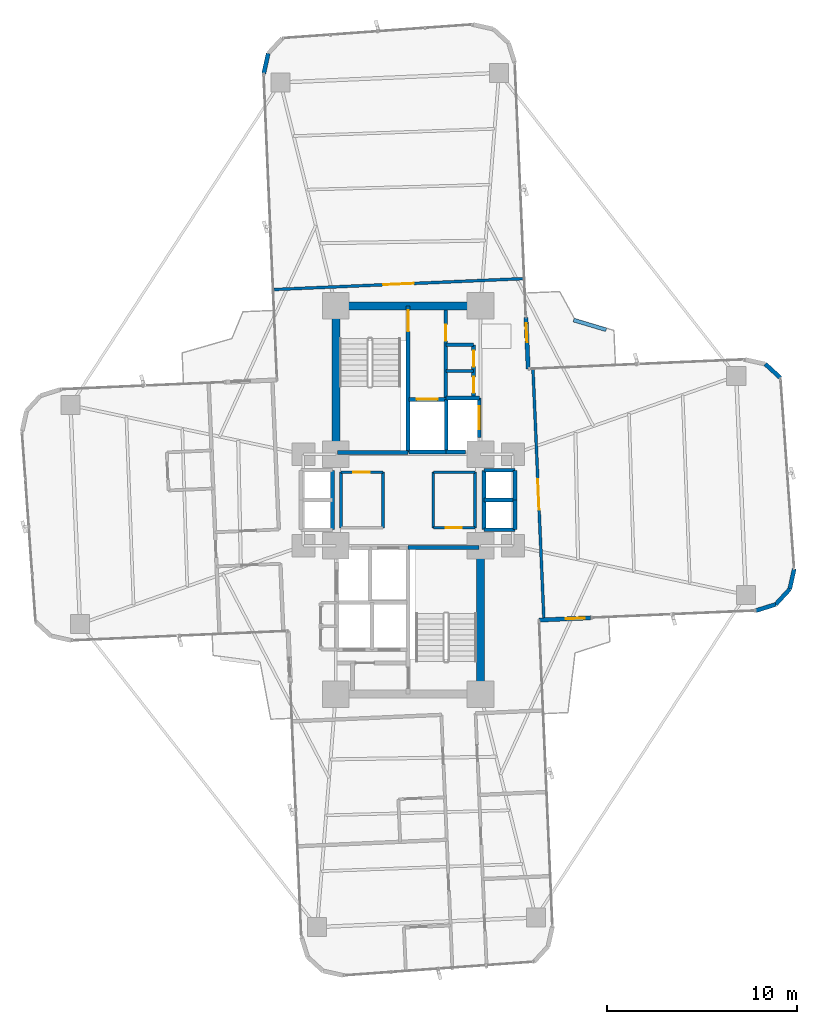
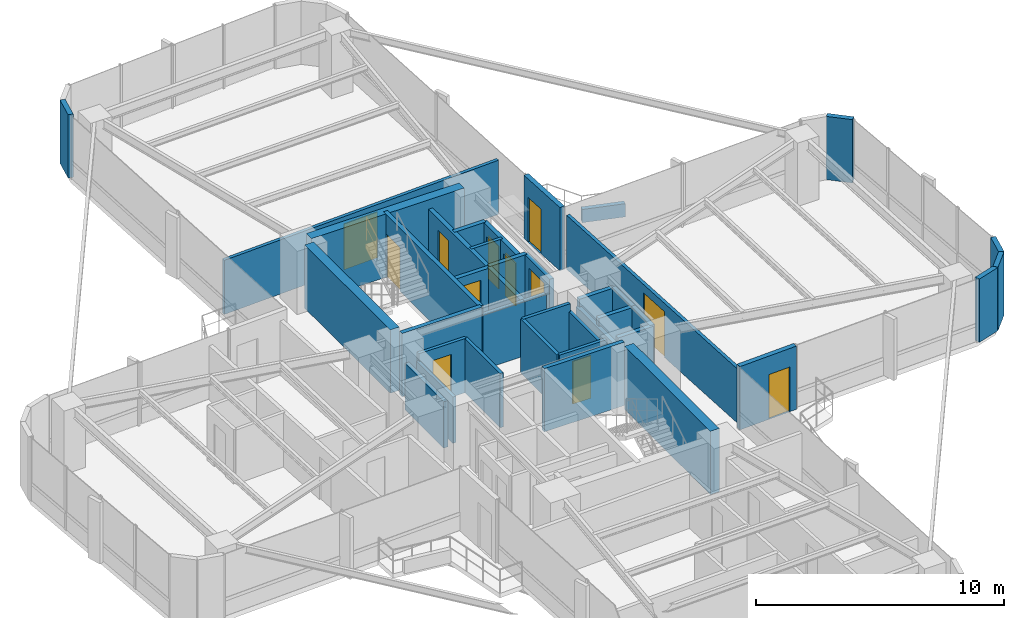
# One storey, part 24 of 26: 40 walls, 12 doors, 12 openings.
"""IFC4 building model written with IfcOpenShell, lengths in metres."""

import ifcopenshell
import ifcopenshell.guid

model = None  # the IFC model being written
_history = None  # IfcOwnerHistory: only IFC2X3 demands one
_inside = {}  # id of a spatial element -> (the spatial element, [elements in it])
_under = {}  # id of a project, library or spatial element -> (it, [spatial elements below it])
_declared = {}  # id of a project -> (the project, [libraries it declares])
_typed = {}  # id of a type object -> (the type object, [elements of that type])
_made_of = {}  # id of a material, layer set ... -> (it, [elements and type objects made of it])


def new_model(schema):
    """Start an empty IFC model of exactly this schema.

    Asked for "IFC4X3", IfcOpenShell would pick the latest addendum, in which some entities
    have other attributes; the version numbers below select the first issue.
    IFC2X3 requires an IfcOwnerHistory on every rooted entity: one is made here for all.
    """
    global model, _history
    if schema == "IFC4X3":
        model = ifcopenshell.file(schema_version=(4, 3, 0, 0))
    else:
        model = ifcopenshell.file(schema=schema)
    _inside.clear()
    _under.clear()
    _declared.clear()
    _typed.clear()
    _made_of.clear()
    _history = None
    if model.schema == "IFC2X3":
        org = make("IfcOrganization", Name="unknown")
        user = make(
            "IfcPersonAndOrganization",
            ThePerson=make("IfcPerson", FamilyName="unknown"),
            TheOrganization=org,
        )
        app = make(
            "IfcApplication",
            ApplicationDeveloper=org,
            Version="unknown",
            ApplicationFullName="unknown",
            ApplicationIdentifier="unknown",
        )
        _history = make(
            "IfcOwnerHistory",
            OwningUser=user,
            OwningApplication=app,
            ChangeAction="ADDED",
            CreationDate=0,
        )
    return model


def make(cls, **values):
    """One entity of the class cls with the attributes given. An attribute that is None is left unset."""
    return model.create_entity(
        cls, **{name: value for name, value in values.items() if value is not None}
    )


def rooted(cls, **values):
    """An entity with a GlobalId (a new one), such as an element, a storey or a relation."""
    return make(cls, GlobalId=ifcopenshell.guid.new(), OwnerHistory=_history, **values)


def si_unit(unit_type, name, prefix=None):
    """IfcSIUnit, for example si_unit("LENGTHUNIT", "METRE", prefix="MILLI")."""
    return make("IfcSIUnit", UnitType=unit_type, Prefix=prefix, Name=name)


def assignment(units):
    """IfcUnitAssignment: the units of a project."""
    return None if units is None else make("IfcUnitAssignment", Units=units)


def point(xyz):
    """IfcCartesianPoint."""
    return None if xyz is None else make("IfcCartesianPoint", Coordinates=xyz)


def direction(xyz):
    """IfcDirection."""
    return None if xyz is None else make("IfcDirection", DirectionRatios=xyz)


def frame(location, z_axis=None, x_axis=None):
    """IfcAxis2Placement3D, a coordinate frame: its origin and axes. An axis left out is left unset."""
    return make(
        "IfcAxis2Placement3D",
        Location=point(location),
        Axis=direction(z_axis),
        RefDirection=direction(x_axis),
    )


def frame_2d(location, x_axis=None):
    """IfcAxis2Placement2D, a coordinate frame in the plane: its origin and x axis."""
    return make(
        "IfcAxis2Placement2D", Location=point(location), RefDirection=direction(x_axis)
    )


def origin():
    """The frame at (0, 0, 0) with its axes left unset."""
    return frame((0.0, 0.0, 0.0))


def origin_2d():
    """The frame at (0, 0) in the plane with its x axis left unset."""
    return frame_2d((0.0, 0.0))


def place(relative_to, where):
    """IfcLocalPlacement: puts the frame where relative to a parent placement (None: the world)."""
    return make(
        "IfcLocalPlacement", PlacementRelTo=relative_to, RelativePlacement=where
    )


def context(
    kind, dimensions, precision=None, world=None, true_north=None, identifier=None
):
    """IfcGeometricRepresentationContext, for example the 3D "Model" context."""
    return make(
        "IfcGeometricRepresentationContext",
        ContextIdentifier=identifier,
        ContextType=kind,
        CoordinateSpaceDimension=dimensions,
        Precision=precision,
        WorldCoordinateSystem=world,
        TrueNorth=true_north,
    )


def subcontext(parent, identifier, kind, view, scale=None):
    """IfcGeometricRepresentationSubContext, for example "Body" below "Model"."""
    return make(
        "IfcGeometricRepresentationSubContext",
        ContextIdentifier=identifier,
        ContextType=kind,
        ParentContext=parent,
        TargetScale=scale,
        TargetView=view,
    )


def project(units=None, contexts=None):
    """IfcProject with its units and contexts."""
    return rooted(
        "IfcProject",
        Name="project",
        RepresentationContexts=contexts,
        UnitsInContext=assignment(units),
    )


def spatial(cls, under=None, at=None, **own):
    """A site, building, storey or space (cls), placed at a placement, below another one or the project."""
    s = rooted(cls, ObjectPlacement=at, **own)
    if under is not None:
        _under.setdefault(under.id(), (under, []))[1].append(s)
    return s


def profile(cls, at=None, kind="AREA", **sizes):
    """A parametric profile (cls). Its sizes go by their IFC names, for example OverallWidth=200.0."""
    return make(cls, ProfileType=kind, Position=at, **sizes)


def rectangle(**sizes):
    """IfcRectangleProfileDef."""
    return profile("IfcRectangleProfileDef", **sizes)


def extrude(swept, where, along, depth):
    """IfcExtrudedAreaSolid: the profile swept, set in the frame where, extruded along a direction by depth."""
    return make(
        "IfcExtrudedAreaSolid",
        SweptArea=swept,
        Position=where,
        ExtrudedDirection=direction(along),
        Depth=depth,
    )


def shape(context_of_items, identifier, shape_type, items):
    """IfcShapeRepresentation: the items that make up one representation, for example the "Body"."""
    return make(
        "IfcShapeRepresentation",
        ContextOfItems=context_of_items,
        RepresentationIdentifier=identifier,
        RepresentationType=shape_type,
        Items=items,
    )


def source(mapping_origin, context_of_items, identifier, shape_type, items):
    """IfcRepresentationMap: a shape defined once, which mapped items show again and again."""
    return make(
        "IfcRepresentationMap",
        MappingOrigin=mapping_origin,
        MappedRepresentation=shape(context_of_items, identifier, shape_type, items),
    )


def transform(
    local_origin,
    x_axis=None,
    y_axis=None,
    z_axis=None,
    scale=None,
    scale2=None,
    scale3=None,
    uniform=True,
):
    """IfcCartesianTransformationOperator3D, or its non-uniform kind. x_axis, y_axis, z_axis: its Axis1, 2, 3."""
    if uniform:
        return make(
            "IfcCartesianTransformationOperator3D",
            Axis1=direction(x_axis),
            Axis2=direction(y_axis),
            LocalOrigin=point(local_origin),
            Scale=scale,
            Axis3=direction(z_axis),
        )
    return make(
        "IfcCartesianTransformationOperator3DnonUniform",
        Axis1=direction(x_axis),
        Axis2=direction(y_axis),
        LocalOrigin=point(local_origin),
        Scale=scale,
        Axis3=direction(z_axis),
        Scale2=scale2,
        Scale3=scale3,
    )


def mapped(mapping_source, mapping_target):
    """IfcMappedItem: shows the shape of a source again, moved by a transform."""
    return make(
        "IfcMappedItem", MappingSource=mapping_source, MappingTarget=mapping_target
    )


def material(Name=None, Category=None):
    """IfcMaterial."""
    return make("IfcMaterial", Name=Name, Category=Category)


def layer(
    of_material, thickness, ventilated=None, Name=None, Category=None, Priority=None
):
    """IfcMaterialLayer: one layer of a wall or slab, of a material (None: an air gap)."""
    return make(
        "IfcMaterialLayer",
        Material=of_material,
        LayerThickness=thickness,
        IsVentilated=ventilated,
        Name=Name,
        Category=Category,
        Priority=Priority,
    )


def layer_set(layers, Name=None):
    """IfcMaterialLayerSet."""
    return make("IfcMaterialLayerSet", MaterialLayers=layers, LayerSetName=Name)


def made_of(thing, what):
    """Note that an element or type object is made of a material, layer set ...; save() writes the relation."""
    if what is not None:
        _made_of.setdefault(what.id(), (what, []))[1].append(thing)
    return thing


def type_object(cls, material=None, **own):
    """A type object (cls), such as IfcWallType, which elements share."""
    return made_of(rooted(cls, **own), material)


def element(
    cls,
    number,
    at=None,
    inside=None,
    cuts=None,
    type_object=None,
    material=None,
    context=None,
    identifier="Body",
    shape_type=None,
    held_by="IfcProductDefinitionShape",
    body=None,
    shapes=None,
    **own,
):
    """One element of the class cls, such as IfcWall. Its Tag is "e" and its number.

    at: its placement. inside: the storey or other place that contains it. cuts: it is an
    opening in that element (IfcRelVoidsElement). A single representation is given by context,
    identifier, shape_type and body (its items); several are given by shapes. held_by: the class
    of the entity that holds the representations. save() writes the other relations.
    """
    e = rooted(cls, Tag="e%d" % number, ObjectPlacement=at, **own)
    if body is not None:
        shapes = [shape(context, identifier, shape_type, body)]
    if shapes is not None:
        e.Representation = make(held_by, Representations=shapes)
    if inside is not None:
        _inside.setdefault(inside.id(), (inside, []))[1].append(e)
    if cuts is not None:
        rooted(
            "IfcRelVoidsElement", RelatingBuildingElement=cuts, RelatedOpeningElement=e
        )
    if type_object is not None:
        _typed.setdefault(type_object.id(), (type_object, []))[1].append(e)
    return made_of(e, material)


def fill(opening, filler):
    """IfcRelFillsElement: the door or window that sits in an opening."""
    return rooted(
        "IfcRelFillsElement",
        RelatingOpeningElement=opening,
        RelatedBuildingElement=filler,
    )


def aggregate(whole, parts):
    """IfcRelAggregates: a whole, such as a stair, and the parts it consists of."""
    return rooted("IfcRelAggregates", RelatingObject=whole, RelatedObjects=parts)


def save(model, path):
    """Write the relations noted so far, then the file.

    IfcRelAggregates (storeys below a building ...), IfcRelContainedInSpatialStructure (elements
    in a storey), IfcRelDefinesByType, IfcRelAssociatesMaterial and IfcRelDeclares: one each for
    every whole, place, type object, material and project.
    """
    for whole, parts in _under.values():
        aggregate(whole, parts)
    for where, things in _inside.values():
        rooted(
            "IfcRelContainedInSpatialStructure",
            RelatedElements=things,
            RelatingStructure=where,
        )
    for kind, things in _typed.values():
        rooted("IfcRelDefinesByType", RelatedObjects=things, RelatingType=kind)
    for what, things in _made_of.values():
        rooted("IfcRelAssociatesMaterial", RelatedObjects=things, RelatingMaterial=what)
    for by, libraries in _declared.values():
        rooted("IfcRelDeclares", RelatingContext=by, RelatedDefinitions=libraries)
    model.write(path)


model = new_model("IFC4")

# Units and contexts
model_context = context("Model", 3, precision=1e-05, world=origin(), true_north=direction((0.0, 1.0)))
body_context = subcontext(model_context, "Body", "Model", "MODEL_VIEW")
ifc_project = project(units=[si_unit("LENGTHUNIT", "METRE"), si_unit("AREAUNIT", "SQUARE_METRE"), si_unit("VOLUMEUNIT", "CUBIC_METRE"), si_unit("PLANEANGLEUNIT", "RADIAN"), si_unit("MASSUNIT", "GRAM", prefix="KILO")], contexts=[model_context])

# Site, building, storey
site_placement = place(None, origin())
site = spatial("IfcSite", under=ifc_project, at=site_placement, CompositionType="ELEMENT")
building_placement = place(site_placement, origin())
building = spatial("IfcBuilding", under=site, at=building_placement, Name="Sahyath Konkavel Grand Hotel", CompositionType="ELEMENT")
storey_placement = place(building_placement, frame((0.0, 0.0, 121.5)))
storey = spatial("IfcBuildingStorey", under=building, at=storey_placement, Name="L33", CompositionType="ELEMENT", Elevation=121.5)

# Walls
ifc_material_1 = material(Name="Concrete C50/60", Category="concrete")
ifc_layer_1 = layer(ifc_material_1, 0.419921875)
ifc_layer_set_1 = layer_set([ifc_layer_1], Name="Concrete C50/60")
wall_type_1 = type_object("IfcWallType", Name="CWALL-420", PredefinedType="SHEAR", material=ifc_layer_set_1)
wall_1_placement = place(storey_placement, frame((-3.550048828125, 10.199951171875, 0.0), z_axis=(0.0, 0.0, 1.0), x_axis=(1.0, 0.0, 0.0)))
element("IfcWall", 1, at=wall_1_placement, inside=storey, type_object=wall_type_1, Name="L33 North Core Shear Wall N", PredefinedType="SHEAR", context=body_context, shape_type="SweptSolid", body=[
    extrude(rectangle(XDim=7.10009765625, YDim=0.419921875, at=frame_2d((3.550048828125, 0.0))), origin(), (0.0, 0.0, 1.0), 3.110107421875),
])
for number, where, z_axis, x_axis, name in (
    (2, (-3.800048828125, 2.85009765625, 0.0), (0.0, 0.0, 1.0), (0.0, 1.0, 0.0), "L33 North Core Shear Wall W"),
    (3, (3.800048828125, -9.75, 0.0), (0.0, 0.0, 1.0), (0.0, 1.0, 0.0), "L33 South Core Shear Wall E"),
):
    element("IfcWall", number, at=place(storey_placement, frame(where, z_axis=z_axis, x_axis=x_axis)), inside=storey, type_object=wall_type_1, Name=name, PredefinedType="SHEAR", context=body_context, shape_type="SweptSolid", body=[
        extrude(rectangle(XDim=6.89990234375, YDim=0.419921875, at=frame_2d((3.449951171875, 0.0))), origin(), (0.0, 0.0, 1.0), 3.110107421875),
    ])

# Wall, opening, door
ifc_material_2 = material(Name="Warm Buff Sandstone Insulated Concrete C40/50", Category="masonry")
ifc_layer_2 = layer(ifc_material_2, 0.219970703125)
ifc_layer_set_2 = layer_set([ifc_layer_2], Name="Warm Buff Sandstone Insulated Concrete C40/50")
wall_type_2 = type_object("IfcWallType", Name="WLL-BALC-THRESH", PredefinedType="STANDARD", material=ifc_layer_set_2)
wall_2_placement = place(storey_placement, frame((6.881591796875, -6.305908203125, 0.0), z_axis=(0.0, 0.0, 1.0), x_axis=(0.999045894436, 0.043672655174, 0.0)))
wall_2 = element("IfcWall", 4, at=wall_2_placement, inside=storey, type_object=wall_type_2, Name="L33 Winter-Garden Threshold Wall 0", PredefinedType="STANDARD", context=body_context, shape_type="SweptSolid", body=[
    extrude(rectangle(XDim=2.7001953125, YDim=0.219970703125, at=frame_2d((1.35009765625, 0.0))), origin(), (0.0, 0.0, 1.0), 3.110107421875),
])
opening_1_placement = place(wall_2_placement, frame((1.39990234375, 0.0, 0.0)))
opening_1 = element("IfcOpeningElement", 5, at=opening_1_placement, cuts=wall_2, Name="Opening D-TR1", PredefinedType="OPENING", context=body_context, shape_type="SweptSolid", body=[
    extrude(rectangle(XDim=1.0, YDim=2.199951171875, at=frame_2d((0.5, 1.10009765625))), frame((0.0, 0.1201171875, 0.0), z_axis=(0.0, -1.0, 0.0), x_axis=(1.0, 0.0, 0.0)), (0.0, 0.0, 1.0), 0.239990234375),
])
ifc_material_3 = material(Name="Anodised Bronze Aluminium & Low-E Glazing", Category="aluminium")
door_type_1 = type_object("IfcDoorType", Name="DR-TERRACE-1000", OperationType="NOTDEFINED", PredefinedType="DOOR", material=ifc_material_3)
shared_shape_1 = source(origin(), body_context, "Body", "SweptSolid", [
    extrude(rectangle(XDim=1.0, YDim=0.050048828125, at=origin_2d()), origin(), (0.0, 0.0, 1.0), 2.199951171875),
])
door_1_placement = place(opening_1_placement, frame((0.5, 0.0, 0.0)))
door_1 = element("IfcDoor", 6, at=door_1_placement, inside=storey, type_object=door_type_1, Name="L33 Winter-Garden Terrace Door 0", OperationType="SINGLE_SWING_LEFT", OverallHeight=2.199951171875, OverallWidth=1.0, PredefinedType="DOOR", context=body_context, shape_type="MappedRepresentation", body=[
    mapped(shared_shape_1, transform((0.0, 0.0, 0.0), scale=1.0)),
])
fill(opening_1, door_1)

# Walls
for number, where, z_axis, x_axis, name in (
    (7, (18.270751953125, -5.80859375, 0.0), (0.0, 0.0, 1.0), (0.953721713582, 0.30069069331, 0.0), "L33 Rounded Corner Sandstone Pier 1"),
    (8, (19.3076171875, -5.481689453125, 0.0), (0.0, 0.0, 1.0), (0.675551721847, 0.737312600672, 0.0), "L33 Rounded Corner Sandstone Pier 2"),
):
    element("IfcWall", number, at=place(storey_placement, frame(where, z_axis=z_axis, x_axis=x_axis)), inside=storey, type_object=wall_type_2, Name=name, PredefinedType="STANDARD", context=body_context, shape_type="SweptSolid", body=[
        extrude(rectangle(XDim=1.087158203125, YDim=0.219970703125, at=frame_2d((0.54345703125, 0.0))), origin(), (0.0, 0.0, 1.0), 3.110107421875),
    ])
for number, where, z_axis, x_axis, name in (
    (9, (20.0419921875, -4.68017578125, 0.0), (0.0, 0.0, 1.0), (0.216288323511, 0.976329535102, 0.0), "L33 Rounded Corner Sandstone Pier 3"),
    (10, (19.5576171875, 6.4091796875, 0.0), (0.0, 0.0, 1.0), (-0.737210081318, 0.675663596772, 0.0), "L33 Rounded Corner Sandstone Pier 5"),
):
    element("IfcWall", number, at=place(storey_placement, frame(where, z_axis=z_axis, x_axis=x_axis)), inside=storey, type_object=wall_type_2, Name=name, PredefinedType="STANDARD", context=body_context, shape_type="SweptSolid", body=[
        extrude(rectangle(XDim=1.0869140625, YDim=0.219970703125, at=frame_2d((0.54345703125, 0.0))), origin(), (0.0, 0.0, 1.0), 3.110107421875),
    ])

# Wall, opening, door
wall_3_placement = place(storey_placement, frame((6.305908203125, 6.881591796875, 0.0), z_axis=(0.0, 0.0, 1.0), x_axis=(-0.043672655174, 0.999045894436, 0.0)))
wall_3 = element("IfcWall", 11, at=wall_3_placement, inside=storey, type_object=wall_type_2, Name="L33 Winter-Garden Threshold Wall 8", PredefinedType="STANDARD", context=body_context, shape_type="SweptSolid", body=[
    extrude(rectangle(XDim=2.7001953125, YDim=0.219970703125, at=frame_2d((1.35009765625, 0.0))), origin(), (0.0, 0.0, 1.0), 3.110107421875),
])
opening_2_placement = place(wall_3_placement, frame((1.39990234375, 0.0, 0.0)))
opening_2 = element("IfcOpeningElement", 12, at=opening_2_placement, cuts=wall_3, Name="Opening D-TR1", PredefinedType="OPENING", context=body_context, shape_type="SweptSolid", body=[
    extrude(rectangle(XDim=1.0, YDim=2.199951171875, at=frame_2d((0.5, 1.10009765625))), frame((0.0, 0.1201171875, 0.0), z_axis=(0.0, -1.0, 0.0), x_axis=(1.0, 0.0, 0.0)), (0.0, 0.0, 1.0), 0.239990234375),
])
door_2_placement = place(opening_2_placement, frame((0.5, 0.0, 0.0)))
door_2 = element("IfcDoor", 13, at=door_2_placement, inside=storey, type_object=door_type_1, Name="L33 Winter-Garden Terrace Door 8", OperationType="SINGLE_SWING_LEFT", OverallHeight=2.199951171875, OverallWidth=1.0, PredefinedType="DOOR", context=body_context, shape_type="MappedRepresentation", body=[
    mapped(shared_shape_1, transform((0.0, 0.0, 0.0), scale=1.0)),
])
fill(opening_2, door_2)

# Wall
wall_4_placement = place(storey_placement, frame((-7.3486328125, 23.451904296875, 0.0), z_axis=(0.0, 0.0, 1.0), x_axis=(-0.216454939174, -0.976292609471, 0.0)))
element("IfcWall", 14, at=wall_4_placement, inside=storey, type_object=wall_type_2, Name="L33 Rounded Corner Sandstone Pier 14", PredefinedType="STANDARD", context=body_context, shape_type="SweptSolid", body=[
    extrude(rectangle(XDim=1.08740234375, YDim=0.219970703125, at=frame_2d((0.543701171875, 0.0))), origin(), (0.0, 0.0, 1.0), 3.110107421875),
])

# Wall, opening, door
ifc_material_4 = material(Name="Concrete C40/50", Category="concrete")
ifc_layer_3 = layer(ifc_material_4, 0.199951171875)
ifc_layer_set_3 = layer_set([ifc_layer_3], Name="Concrete C40/50")
wall_type_3 = type_object("IfcWallType", Name="WLL-CORE-200", PredefinedType="SOLIDWALL", material=ifc_layer_set_3)
wall_5_placement = place(storey_placement, frame((0.0, 2.5, 0.0), z_axis=(0.0, 0.0, 1.0), x_axis=(0.0, 1.0, 0.0)))
wall_5 = element("IfcWall", 15, at=wall_5_placement, inside=storey, type_object=wall_type_3, Name="L33 Stair ST-1 Shaft Wall E", PredefinedType="SOLIDWALL", context=body_context, shape_type="SweptSolid", body=[
    extrude(rectangle(XDim=7.679931640625, YDim=0.199951171875, at=frame_2d((3.83984375, 0.0))), origin(), (0.0, 0.0, 1.0), 3.110107421875),
])
opening_3_placement = place(wall_5_placement, frame((6.360107421875, 0.0, 0.0)))
opening_3 = element("IfcOpeningElement", 16, at=opening_3_placement, cuts=wall_5, Name="Opening D-F12B", PredefinedType="OPENING", context=body_context, shape_type="SweptSolid", body=[
    extrude(rectangle(XDim=1.10009765625, YDim=2.14990234375, at=frame_2d((0.550048828125, 1.074951171875))), frame((0.0, 0.10986328125, 0.0), z_axis=(0.0, -1.0, 0.0), x_axis=(1.0, 0.0, 0.0)), (0.0, 0.0, 1.0), 0.219970703125),
])
ifc_material_5 = material(Name="Steel E350 Smokeproof Fire Door", Category="steel")
door_type_2 = type_object("IfcDoorType", Name="DR-FD120-1100", OperationType="NOTDEFINED", PredefinedType="DOOR", material=ifc_material_5)
shared_shape_2 = source(origin(), body_context, "Body", "SweptSolid", [
    extrude(rectangle(XDim=1.10009765625, YDim=0.050048828125, at=origin_2d()), origin(), (0.0, 0.0, 1.0), 2.14990234375),
])
door_3_placement = place(opening_3_placement, frame((0.550048828125, 0.0, 0.0)))
door_3 = element("IfcDoor", 17, at=door_3_placement, inside=storey, type_object=door_type_2, Name="L33 Stair ST-1 Fire Door", OperationType="SINGLE_SWING_LEFT", OverallHeight=2.14990234375, OverallWidth=1.10009765625, PredefinedType="DOOR", context=body_context, shape_type="MappedRepresentation", body=[
    mapped(shared_shape_2, transform((0.0, 0.0, 0.0), scale=1.0)),
])
fill(opening_3, door_3)

# Walls
for number, where, z_axis, x_axis, name in (
    (18, (-3.719970703125, 2.5, 0.0), (0.0, 0.0, 1.0), (1.0, 0.0, 0.0), "L33 Stair ST-1 Shaft Wall S"),
    (19, (0.0, -2.5, 0.0), (0.0, 0.0, 1.0), (1.0, 0.0, 0.0), "L33 Stair ST-2 Shaft Wall N"),
):
    element("IfcWall", number, at=place(storey_placement, frame(where, z_axis=z_axis, x_axis=x_axis)), inside=storey, type_object=wall_type_3, Name=name, PredefinedType="SOLIDWALL", context=body_context, shape_type="SweptSolid", body=[
        extrude(rectangle(XDim=3.719970703125, YDim=0.199951171875, at=frame_2d((1.85986328125, 0.0))), origin(), (0.0, 0.0, 1.0), 3.110107421875),
    ])

# Wall, opening, door
wall_6_placement = place(storey_placement, frame((1.97998046875, 5.320068359375, 0.0), z_axis=(0.0, 0.0, 1.0), x_axis=(0.0, 1.0, 0.0)))
wall_6 = element("IfcWall", 20, at=wall_6_placement, inside=storey, type_object=wall_type_3, Name="L33 North Firefighting Lobby Wall E", PredefinedType="SOLIDWALL", context=body_context, shape_type="SweptSolid", body=[
    extrude(rectangle(XDim=4.659912109375, YDim=0.199951171875, at=frame_2d((2.330078125, 0.0))), origin(), (0.0, 0.0, 1.0), 2.659912109375),
])
opening_4_placement = place(wall_6_placement, frame((3.0400390625, 0.0, 0.0)))
opening_4 = element("IfcOpeningElement", 21, at=opening_4_placement, cuts=wall_6, Name="Opening D-F12D", PredefinedType="OPENING", context=body_context, shape_type="SweptSolid", body=[
    extrude(rectangle(XDim=0.85009765625, YDim=2.10009765625, at=frame_2d((0.425048828125, 1.050048828125))), frame((0.0, 0.10986328125, 0.0), z_axis=(0.0, -1.0, 0.0), x_axis=(1.0, 0.0, 0.0)), (0.0, 0.0, 1.0), 0.219970703125),
])
ifc_material_6 = material(Name="Steel E350 Core Fire Door", Category="steel")
door_type_3 = type_object("IfcDoorType", Name="DR-FD120-850", OperationType="NOTDEFINED", PredefinedType="DOOR", material=ifc_material_6)
shared_shape_3 = source(origin(), body_context, "Body", "SweptSolid", [
    extrude(rectangle(XDim=0.85009765625, YDim=0.050048828125, at=origin_2d()), origin(), (0.0, 0.0, 1.0), 2.10009765625),
])
door_4_placement = place(opening_4_placement, frame((0.425048828125, 0.0, 0.0)))
door_4 = element("IfcDoor", 22, at=door_4_placement, inside=storey, type_object=door_type_3, Name="L33 North Firefighting Lobby Door", OperationType="SINGLE_SWING_LEFT", OverallHeight=2.10009765625, OverallWidth=0.85009765625, PredefinedType="DOOR", context=body_context, shape_type="MappedRepresentation", body=[
    mapped(shared_shape_3, transform((0.0, 0.0, 0.0), scale=1.0)),
])
fill(opening_4, door_4)

# Walls
wall_7_placement = place(storey_placement, frame((2.0, 2.5, 0.0), z_axis=(0.0, 0.0, 1.0), x_axis=(0.0, 1.0, 0.0)))
element("IfcWall", 23, at=wall_7_placement, inside=storey, type_object=wall_type_3, Name="L33 Partition SH-FFL1-E", PredefinedType="SOLIDWALL", context=body_context, shape_type="SweptSolid", body=[
    extrude(rectangle(XDim=2.780029296875, YDim=0.199951171875, at=frame_2d((1.39013671875, 0.0))), origin(), (0.0, 0.0, 1.0), 2.659912109375),
])
wall_8_placement = place(storey_placement, frame((0.050048828125, 2.52001953125, 0.0), z_axis=(0.0, 0.0, 1.0), x_axis=(1.0, 0.0, 0.0)))
element("IfcWall", 24, at=wall_8_placement, inside=storey, type_object=wall_type_3, Name="L33 Partition SH-FFL1-S", PredefinedType="SOLIDWALL", context=body_context, shape_type="SweptSolid", body=[
    extrude(rectangle(XDim=1.949951171875, YDim=0.199951171875, at=frame_2d((0.97509765625, 0.0))), origin(), (0.0, 0.0, 1.0), 2.659912109375),
])

# Wall, opening, door
wall_9_placement = place(storey_placement, frame((0.050048828125, 5.280029296875, 0.0), z_axis=(0.0, 0.0, 1.0), x_axis=(1.0, 0.0, 0.0)))
wall_9 = element("IfcWall", 25, at=wall_9_placement, inside=storey, type_object=wall_type_3, Name="L33 Partition SH-FFL1-N", PredefinedType="SOLIDWALL", context=body_context, shape_type="SweptSolid", body=[
    extrude(rectangle(XDim=1.929931640625, YDim=0.199951171875, at=frame_2d((0.96484375, 0.0))), origin(), (0.0, 0.0, 1.0), 2.659912109375),
])
opening_5_placement = place(wall_9_placement, frame((0.39990234375, 0.0, 0.0)))
opening_5 = element("IfcOpeningElement", 26, at=opening_5_placement, cuts=wall_9, Name="Opening LD-11", PredefinedType="OPENING", context=body_context, shape_type="SweptSolid", body=[
    extrude(rectangle(XDim=1.10009765625, YDim=2.199951171875, at=frame_2d((0.550048828125, 1.10009765625))), frame((0.0, 0.10986328125, 0.0), z_axis=(0.0, -1.0, 0.0), x_axis=(1.0, 0.0, 0.0)), (0.0, 0.0, 1.0), 0.219970703125),
])
ifc_material_7 = material(Name="Bronze Lift Landing Door 1100")
door_type_4 = type_object("IfcDoorType", Name="DR-LIFT-1100", OperationType="DOUBLE_DOOR_SLIDING", PredefinedType="DOOR", material=ifc_material_7)
shared_shape_4 = source(origin(), body_context, "Body", "SweptSolid", [
    extrude(rectangle(XDim=1.10009765625, YDim=0.050048828125, at=origin_2d()), origin(), (0.0, 0.0, 1.0), 2.199951171875),
])
door_5_placement = place(opening_5_placement, frame((0.550048828125, 0.0, 0.0)))
door_5 = element("IfcDoor", 27, at=door_5_placement, inside=storey, type_object=door_type_4, Name="L33 Lift FFL-1 Landing Door", OperationType="DOUBLE_DOOR_SLIDING", OverallHeight=2.199951171875, OverallWidth=1.10009765625, PredefinedType="DOOR", context=body_context, shape_type="MappedRepresentation", body=[
    mapped(shared_shape_4, transform((0.0, 0.0, 0.0), scale=1.0)),
])
fill(opening_5, door_5)

# Walls
wall_10_placement = place(storey_placement, frame((2.0, 2.52001953125, 0.0), z_axis=(0.0, 0.0, 1.0), x_axis=(1.0, 0.0, 0.0)))
element("IfcWall", 28, at=wall_10_placement, inside=storey, type_object=wall_type_3, Name="L33 Partition SH-SVL1-S", PredefinedType="SOLIDWALL", context=body_context, shape_type="SweptSolid", body=[
    extrude(rectangle(XDim=1.0, YDim=0.199951171875, at=frame_2d((0.5, 0.0))), origin(), (0.0, 0.0, 1.0), 2.659912109375),
])
wall_11_placement = place(storey_placement, frame((2.0, 5.360107421875, 0.0), z_axis=(0.0, 0.0, 1.0), x_axis=(1.0, 0.0, 0.0)))
element("IfcWall", 29, at=wall_11_placement, inside=storey, type_object=wall_type_3, Name="L33 Partition SH-SVL1-N", PredefinedType="SOLIDWALL", context=body_context, shape_type="SweptSolid", body=[
    extrude(rectangle(XDim=1.739990234375, YDim=0.199951171875, at=frame_2d((0.8701171875, 0.0))), origin(), (0.0, 0.0, 1.0), 2.659912109375),
])

# Wall, opening, door
wall_12_placement = place(storey_placement, frame((3.739990234375, 3.280029296875, 0.0), z_axis=(0.0, 0.0, 1.0), x_axis=(0.0, 1.0, 0.0)))
wall_12 = element("IfcWall", 30, at=wall_12_placement, inside=storey, type_object=wall_type_3, Name="L33 Partition SH-SVL1-E", PredefinedType="SOLIDWALL", context=body_context, shape_type="SweptSolid", body=[
    extrude(rectangle(XDim=2.080078125, YDim=0.199951171875, at=frame_2d((1.0400390625, 0.0))), origin(), (0.0, 0.0, 1.0), 2.659912109375),
])
opening_6_placement = place(wall_12_placement, frame((0.43994140625, 0.0, 0.0)))
opening_6 = element("IfcOpeningElement", 31, at=opening_6_placement, cuts=wall_12, Name="Opening LD-12", PredefinedType="OPENING", context=body_context, shape_type="SweptSolid", body=[
    extrude(rectangle(XDim=1.199951171875, YDim=2.199951171875, at=frame_2d((0.60009765625, 1.10009765625))), frame((0.0, 0.10986328125, 0.0), z_axis=(0.0, -1.0, 0.0), x_axis=(1.0, 0.0, 0.0)), (0.0, 0.0, 1.0), 0.219970703125),
])
ifc_material_8 = material(Name="Stainless Steel Lift Landing Door 1200", Category="steel")
door_type_5 = type_object("IfcDoorType", Name="DR-LIFT-1200", OperationType="DOUBLE_DOOR_SLIDING", PredefinedType="DOOR", material=ifc_material_8)
shared_shape_5 = source(origin(), body_context, "Body", "SweptSolid", [
    extrude(rectangle(XDim=1.199951171875, YDim=0.050048828125, at=origin_2d()), origin(), (0.0, 0.0, 1.0), 2.199951171875),
])
door_6_placement = place(opening_6_placement, frame((0.60009765625, 0.0, 0.0)))
door_6 = element("IfcDoor", 32, at=door_6_placement, inside=storey, type_object=door_type_5, Name="L33 Service Lift SVL-1 Landing Door", OperationType="DOUBLE_DOOR_SLIDING", OverallHeight=2.199951171875, OverallWidth=1.199951171875, PredefinedType="DOOR", context=body_context, shape_type="MappedRepresentation", body=[
    mapped(shared_shape_5, transform((0.0, 0.0, 0.0), scale=1.0)),
])
fill(opening_6, door_6)

# Walls
wall_13_placement = place(storey_placement, frame((3.97998046875, -1.56005859375, 0.0), z_axis=(0.0, 0.0, 1.0), x_axis=(0.0, 1.0, 0.0)))
element("IfcWall", 33, at=wall_13_placement, inside=storey, type_object=wall_type_3, Name="L33 Partition SH-PL56-W", PredefinedType="SOLIDWALL", context=body_context, shape_type="SweptSolid", body=[
    extrude(rectangle(XDim=3.1201171875, YDim=0.199951171875, at=frame_2d((1.56005859375, 0.0))), origin(), (0.0, 0.0, 1.0), 2.280029296875),
])
for number, where, z_axis, x_axis, name in (
    (34, (3.97998046875, 1.56005859375, 0.0), (0.0, 0.0, 1.0), (1.0, 0.0, 0.0), "L33 Partition SH-PL56-N"),
    (35, (3.97998046875, -1.56005859375, 0.0), (0.0, 0.0, 1.0), (1.0, 0.0, 0.0), "L33 Partition SH-PL56-S"),
    (36, (3.97998046875, 0.0, 0.0), (0.0, 0.0, 1.0), (1.0, 0.0, 0.0), "L33 Partition SH-PL56-M"),
):
    element("IfcWall", number, at=place(storey_placement, frame(where, z_axis=z_axis, x_axis=x_axis)), inside=storey, type_object=wall_type_3, Name=name, PredefinedType="SOLIDWALL", context=body_context, shape_type="SweptSolid", body=[
        extrude(rectangle(XDim=1.64013671875, YDim=0.199951171875, at=frame_2d((0.820068359375, 0.0))), origin(), (0.0, 0.0, 1.0), 2.659912109375),
    ])
for number, where, z_axis, x_axis, name in (
    (37, (5.6201171875, 0.0, 0.0), (0.0, 0.0, 1.0), (0.0, 1.0, 0.0), "L33 Partition SH-PL5-E"),
    (38, (5.6201171875, -1.56005859375, 0.0), (0.0, 0.0, 1.0), (0.0, 1.0, 0.0), "L33 Partition SH-PL6-E"),
):
    element("IfcWall", number, at=place(storey_placement, frame(where, z_axis=z_axis, x_axis=x_axis)), inside=storey, type_object=wall_type_3, Name=name, PredefinedType="SOLIDWALL", context=body_context, shape_type="SweptSolid", body=[
        extrude(rectangle(XDim=1.56005859375, YDim=0.199951171875, at=frame_2d((0.780029296875, 0.0))), origin(), (0.0, 0.0, 1.0), 2.659912109375),
    ])
wall_14_placement = place(storey_placement, frame((-3.97998046875, -1.56005859375, 0.0), z_axis=(0.0, 0.0, 1.0), x_axis=(0.0, 1.0, 0.0)))
element("IfcWall", 39, at=wall_14_placement, inside=storey, type_object=wall_type_3, Name="L33 Partition SH-SL12-E", PredefinedType="SOLIDWALL", context=body_context, shape_type="SweptSolid", body=[
    extrude(rectangle(XDim=3.1201171875, YDim=0.199951171875, at=frame_2d((1.56005859375, 0.0))), origin(), (0.0, 0.0, 1.0), 2.280029296875),
])

# Wall, openings, doors
wall_15_placement = place(storey_placement, frame((3.43994140625, 5.3798828125, 0.0), z_axis=(0.0, 0.0, 1.0), x_axis=(0.0, 1.0, 0.0)))
wall_15 = element("IfcWall", 40, at=wall_15_placement, inside=storey, type_object=wall_type_3, Name="L33 Reclaimed North Core Wall E", PredefinedType="SOLIDWALL", context=body_context, shape_type="SweptSolid", body=[
    extrude(rectangle(XDim=2.77001953125, YDim=0.199951171875, at=frame_2d((1.385009765625, 0.0))), origin(), (0.0, 0.0, 1.0), 2.659912109375),
])
opening_7_placement = place(wall_15_placement, frame((0.239990234375, 0.0, 0.0)))
opening_7 = element("IfcOpeningElement", 41, at=opening_7_placement, cuts=wall_15, Name="Opening D-F06D", PredefinedType="OPENING", context=body_context, shape_type="SweptSolid", body=[
    extrude(rectangle(XDim=0.85009765625, YDim=2.10009765625, at=frame_2d((0.425048828125, 1.050048828125))), frame((0.0, 0.10986328125, 0.0), z_axis=(0.0, -1.0, 0.0), x_axis=(1.0, 0.0, 0.0)), (0.0, 0.0, 1.0), 0.219970703125),
])
opening_8_placement = place(wall_15_placement, frame((1.6201171875, 0.0, 0.0)))
opening_8 = element("IfcOpeningElement", 42, at=opening_8_placement, cuts=wall_15, Name="Opening D-F06D", PredefinedType="OPENING", context=body_context, shape_type="SweptSolid", body=[
    extrude(rectangle(XDim=0.85009765625, YDim=2.10009765625, at=frame_2d((0.425048828125, 1.050048828125))), frame((0.0, 0.10986328125, 0.0), z_axis=(0.0, -1.0, 0.0), x_axis=(1.0, 0.0, 0.0)), (0.0, 0.0, 1.0), 0.219970703125),
])
ifc_material_9 = material(Name="Fire-Rated Shaft Access Door")
door_type_6 = type_object("IfcDoorType", Name="DR-FD60-850", OperationType="NOTDEFINED", PredefinedType="DOOR", material=ifc_material_9)
door_7_placement = place(opening_7_placement, frame((0.425048828125, 0.0, 0.0)))
door_7 = element("IfcDoor", 43, at=door_7_placement, inside=storey, type_object=door_type_6, Name="L33 Door NC-REC1-D", OperationType="SINGLE_SWING_RIGHT", OverallHeight=2.10009765625, OverallWidth=0.85009765625, PredefinedType="DOOR", context=body_context, shape_type="MappedRepresentation", body=[
    mapped(shared_shape_3, transform((0.0, 0.0, 0.0), scale=1.0)),
])
fill(opening_7, door_7)
door_8_placement = place(opening_8_placement, frame((0.425048828125, 0.0, 0.0)))
door_8 = element("IfcDoor", 44, at=door_8_placement, inside=storey, type_object=door_type_6, Name="L33 Door NC-REC2-D", OperationType="SINGLE_SWING_LEFT", OverallHeight=2.10009765625, OverallWidth=0.85009765625, PredefinedType="DOOR", context=body_context, shape_type="MappedRepresentation", body=[
    mapped(shared_shape_3, transform((0.0, 0.0, 0.0), scale=1.0)),
])
fill(opening_8, door_8)

# Walls
wall_16_placement = place(storey_placement, frame((1.97998046875, 8.14990234375, 0.0), z_axis=(0.0, 0.0, 1.0), x_axis=(1.0, 0.0, 0.0)))
element("IfcWall", 45, at=wall_16_placement, inside=storey, type_object=wall_type_3, Name="L33 Partition NC-REC-N", PredefinedType="SOLIDWALL", context=body_context, shape_type="SweptSolid", body=[
    extrude(rectangle(XDim=1.4599609375, YDim=0.199951171875, at=frame_2d((0.72998046875, 0.0))), origin(), (0.0, 0.0, 1.0), 2.659912109375),
])
ifc_material_10 = material(Name="Fire-Rated Gypsum Plasterboard Partition")
ifc_layer_4 = layer(ifc_material_10, 0.14990234375)
ifc_layer_set_4 = layer_set([ifc_layer_4], Name="Fire-Rated Gypsum Plasterboard Partition")
wall_type_4 = type_object("IfcWallType", Name="WLL-PART-150", PredefinedType="PARTITIONING", material=ifc_layer_set_4)
wall_17_placement = place(storey_placement, frame((1.97998046875, 6.77001953125, 0.0), z_axis=(0.0, 0.0, 1.0), x_axis=(1.0, 0.0, 0.0)))
element("IfcWall", 46, at=wall_17_placement, inside=storey, type_object=wall_type_4, Name="L33 Partition NC-REC-M1", PredefinedType="PARTITIONING", context=body_context, shape_type="SweptSolid", body=[
    extrude(rectangle(XDim=1.4599609375, YDim=0.14990234375, at=frame_2d((0.72998046875, 0.0))), origin(), (0.0, 0.0, 1.0), 2.659912109375),
])
wall_18_placement = place(storey_placement, frame((-1.320068359375, -1.4599609375, 0.0), z_axis=(0.0, 0.0, 1.0), x_axis=(0.0, 1.0, 0.0)))
element("IfcWall", 47, at=wall_18_placement, inside=storey, type_object=wall_type_4, Name="L33 Partition CC-1WI", PredefinedType="PARTITIONING", context=body_context, shape_type="SweptSolid", body=[
    extrude(rectangle(XDim=2.919921875, YDim=0.14990234375, at=frame_2d((1.4599609375, 0.0))), origin(), (0.0, 0.0, 1.0), 2.659912109375),
])
wall_19_placement = place(storey_placement, frame((-3.52001953125, -1.4599609375, 0.0), z_axis=(0.0, 0.0, 1.0), x_axis=(0.0, 1.0, 0.0)))
element("IfcWall", 48, at=wall_19_placement, inside=storey, type_object=wall_type_4, Name="L33 Partition CC-1WO", PredefinedType="PARTITIONING", context=body_context, shape_type="SweptSolid", body=[
    extrude(rectangle(XDim=2.919921875, YDim=0.14990234375, at=frame_2d((1.4599609375, 0.0))), origin(), (0.0, 0.0, 1.0), 2.280029296875),
])

# Wall, opening, door
wall_20_placement = place(storey_placement, frame((-3.52001953125, 1.4599609375, 0.0), z_axis=(0.0, 0.0, 1.0), x_axis=(1.0, 0.0, 0.0)))
wall_20 = element("IfcWall", 49, at=wall_20_placement, inside=storey, type_object=wall_type_4, Name="L33 Partition CC-1WN", PredefinedType="PARTITIONING", context=body_context, shape_type="SweptSolid", body=[
    extrude(rectangle(XDim=2.199951171875, YDim=0.14990234375, at=frame_2d((1.10009765625, 0.0))), origin(), (0.0, 0.0, 1.0), 2.659912109375),
])
opening_9_placement = place(wall_20_placement, frame((0.64990234375, 0.0, 0.0)))
opening_9 = element("IfcOpeningElement", 50, at=opening_9_placement, cuts=wall_20, Name="Opening D-F06D", PredefinedType="OPENING", context=body_context, shape_type="SweptSolid", body=[
    extrude(rectangle(XDim=0.85009765625, YDim=2.10009765625, at=frame_2d((0.425048828125, 1.050048828125))), frame((0.0, 0.0849609375, 0.0), z_axis=(0.0, -1.0, 0.0), x_axis=(1.0, 0.0, 0.0)), (0.0, 0.0, 1.0), 0.169921875),
])
door_9_placement = place(opening_9_placement, frame((0.425048828125, 0.0, 0.0)))
door_9 = element("IfcDoor", 51, at=door_9_placement, inside=storey, type_object=door_type_6, Name="L33 Door CC-D1W", OperationType="SINGLE_SWING_RIGHT", OverallHeight=2.10009765625, OverallWidth=0.85009765625, PredefinedType="DOOR", context=body_context, shape_type="MappedRepresentation", body=[
    mapped(shared_shape_3, transform((0.0, 0.0, 0.0), scale=1.0)),
])
fill(opening_9, door_9)

# Walls
wall_21_placement = place(storey_placement, frame((1.320068359375, -1.4599609375, 0.0), z_axis=(0.0, 0.0, 1.0), x_axis=(0.0, 1.0, 0.0)))
element("IfcWall", 52, at=wall_21_placement, inside=storey, type_object=wall_type_4, Name="L33 Partition CC-1EI", PredefinedType="PARTITIONING", context=body_context, shape_type="SweptSolid", body=[
    extrude(rectangle(XDim=2.919921875, YDim=0.14990234375, at=frame_2d((1.4599609375, 0.0))), origin(), (0.0, 0.0, 1.0), 2.659912109375),
])
wall_22_placement = place(storey_placement, frame((3.52001953125, -1.4599609375, 0.0), z_axis=(0.0, 0.0, 1.0), x_axis=(0.0, 1.0, 0.0)))
element("IfcWall", 53, at=wall_22_placement, inside=storey, type_object=wall_type_4, Name="L33 Partition CC-1EO", PredefinedType="PARTITIONING", context=body_context, shape_type="SweptSolid", body=[
    extrude(rectangle(XDim=2.919921875, YDim=0.14990234375, at=frame_2d((1.4599609375, 0.0))), origin(), (0.0, 0.0, 1.0), 2.280029296875),
])
wall_23_placement = place(storey_placement, frame((1.320068359375, 1.4599609375, 0.0), z_axis=(0.0, 0.0, 1.0), x_axis=(1.0, 0.0, 0.0)))
element("IfcWall", 54, at=wall_23_placement, inside=storey, type_object=wall_type_4, Name="L33 Partition CC-1EN", PredefinedType="PARTITIONING", context=body_context, shape_type="SweptSolid", body=[
    extrude(rectangle(XDim=2.199951171875, YDim=0.14990234375, at=frame_2d((1.10009765625, 0.0))), origin(), (0.0, 0.0, 1.0), 2.659912109375),
])

# Wall, opening, door
wall_24_placement = place(storey_placement, frame((1.320068359375, -1.4599609375, 0.0), z_axis=(0.0, 0.0, 1.0), x_axis=(1.0, 0.0, 0.0)))
wall_24 = element("IfcWall", 55, at=wall_24_placement, inside=storey, type_object=wall_type_4, Name="L33 Partition CC-1ES", PredefinedType="PARTITIONING", context=body_context, shape_type="SweptSolid", body=[
    extrude(rectangle(XDim=2.199951171875, YDim=0.14990234375, at=frame_2d((1.10009765625, 0.0))), origin(), (0.0, 0.0, 1.0), 2.659912109375),
])
opening_10_placement = place(wall_24_placement, frame((0.64990234375, 0.0, 0.0)))
opening_10 = element("IfcOpeningElement", 56, at=opening_10_placement, cuts=wall_24, Name="Opening D-F06D", PredefinedType="OPENING", context=body_context, shape_type="SweptSolid", body=[
    extrude(rectangle(XDim=0.85009765625, YDim=2.10009765625, at=frame_2d((0.425048828125, 1.050048828125))), frame((0.0, 0.0849609375, 0.0), z_axis=(0.0, -1.0, 0.0), x_axis=(1.0, 0.0, 0.0)), (0.0, 0.0, 1.0), 0.169921875),
])
door_10_placement = place(opening_10_placement, frame((0.425048828125, 0.0, 0.0)))
door_10 = element("IfcDoor", 57, at=door_10_placement, inside=storey, type_object=door_type_6, Name="L33 Door CC-D1E", OperationType="SINGLE_SWING_LEFT", OverallHeight=2.10009765625, OverallWidth=0.85009765625, PredefinedType="DOOR", context=body_context, shape_type="MappedRepresentation", body=[
    mapped(shared_shape_3, transform((0.0, 0.0, 0.0), scale=1.0)),
])
fill(opening_10, door_10)

wall_25_placement = place(storey_placement, frame((7.129150390625, -6.2451171875, 0.0), z_axis=(0.0, 0.0, 1.0), x_axis=(-0.043609488494, 0.999048653727, 0.0)))
wall_25 = element("IfcWall", 58, at=wall_25_placement, inside=storey, type_object=wall_type_4, Name="L33 Partition E-SAL-IN", PredefinedType="PARTITIONING", context=body_context, shape_type="SweptSolid", body=[
    extrude(rectangle(XDim=13.10009765625, YDim=0.14990234375, at=frame_2d((6.550048828125, 0.0))), origin(), (0.0, 0.0, 1.0), 2.659912109375),
])
opening_11_placement = place(wall_25_placement, frame((5.75, 0.0, 0.0)))
opening_11 = element("IfcOpeningElement", 59, at=opening_11_placement, cuts=wall_25, Name="Opening D-DB16", PredefinedType="OPENING", context=body_context, shape_type="SweptSolid", body=[
    extrude(rectangle(XDim=1.60009765625, YDim=2.25, at=frame_2d((0.800048828125, 1.125))), frame((0.0, 0.0849609375, 0.0), z_axis=(0.0, -1.0, 0.0), x_axis=(1.0, 0.0, 0.0)), (0.0, 0.0, 1.0), 0.169921875),
])
ifc_material_11 = material(Name="Double Leaf Lounge Glazed Timber Door", Category="wood")
door_type_7 = type_object("IfcDoorType", Name="DR-DBL-1600", OperationType="DOUBLE_DOOR_SINGLE_SWING", PredefinedType="DOOR", material=ifc_material_11)
shared_shape_6 = source(origin(), body_context, "Body", "SweptSolid", [
    extrude(rectangle(XDim=1.60009765625, YDim=0.050048828125, at=origin_2d()), origin(), (0.0, 0.0, 1.0), 2.25),
])
door_11_placement = place(opening_11_placement, frame((0.800048828125, 0.0, 0.0)))
door_11 = element("IfcDoor", 60, at=door_11_placement, inside=storey, type_object=door_type_7, Name="L33 Door E-SAL-D", OperationType="DOUBLE_DOOR_SINGLE_SWING", OverallHeight=2.25, OverallWidth=1.60009765625, PredefinedType="DOOR", context=body_context, shape_type="MappedRepresentation", body=[
    mapped(shared_shape_6, transform((0.0, 0.0, 0.0), scale=1.0)),
])
fill(opening_11, door_11)

wall_26_placement = place(storey_placement, frame((6.048583984375, 11.625, 0.0), z_axis=(0.0, 0.0, 1.0), x_axis=(-0.999047806124, -0.043628901879, 0.0)))
wall_26 = element("IfcWall", 61, at=wall_26_placement, inside=storey, type_object=wall_type_4, Name="L33 Partition N-SAL-IN", PredefinedType="PARTITIONING", context=body_context, shape_type="SweptSolid", body=[
    extrude(rectangle(XDim=13.099853515625, YDim=0.14990234375, at=frame_2d((6.5498046875, 0.0))), origin(), (0.0, 0.0, 1.0), 2.659912109375),
])
opening_12_placement = place(wall_26_placement, frame((5.75, 0.0, 0.0)))
opening_12 = element("IfcOpeningElement", 62, at=opening_12_placement, cuts=wall_26, Name="Opening D-DB16", PredefinedType="OPENING", context=body_context, shape_type="SweptSolid", body=[
    extrude(rectangle(XDim=1.60009765625, YDim=2.25, at=frame_2d((0.800048828125, 1.125))), frame((0.0, 0.0849609375, 0.0), z_axis=(0.0, -1.0, 0.0), x_axis=(1.0, 0.0, 0.0)), (0.0, 0.0, 1.0), 0.169921875),
])
door_12_placement = place(opening_12_placement, frame((0.800048828125, 0.0, 0.0)))
door_12 = element("IfcDoor", 63, at=door_12_placement, inside=storey, type_object=door_type_7, Name="L33 Door N-SAL-D", OperationType="DOUBLE_DOOR_SINGLE_SWING", OverallHeight=2.25, OverallWidth=1.60009765625, PredefinedType="DOOR", context=body_context, shape_type="MappedRepresentation", body=[
    mapped(shared_shape_6, transform((0.0, 0.0, 0.0), scale=1.0)),
])
fill(opening_12, door_12)

# Wall
ifc_material_12 = material(Name="Warm Buff Sandstone Planter Wall", Category="masonry")
ifc_layer_5 = layer(ifc_material_12, 0.199951171875)
ifc_layer_set_5 = layer_set([ifc_layer_5], Name="Warm Buff Sandstone Planter Wall")
wall_type_5 = type_object("IfcWallType", Name="WLL-PLANTER-200", PredefinedType="PARAPET", material=ifc_layer_set_5)
wall_27_placement = place(storey_placement, frame((10.397705078125, 8.93798828125, 0.0), z_axis=(0.0, 0.0, 1.0), x_axis=(-0.957860256491, 0.287234623671, 0.0)))
element("IfcWall", 64, at=wall_27_placement, inside=storey, type_object=wall_type_5, Name="L33 Sky-Garden Stone Planter PLANTER NE", PredefinedType="PARAPET", context=body_context, shape_type="SweptSolid", body=[
    extrude(rectangle(XDim=1.77978515625, YDim=0.199951171875, at=frame_2d((0.889892578125, 0.0))), origin(), (0.0, 0.0, 1.0), 0.64990234375),
])

save(model, "model.ifc")
